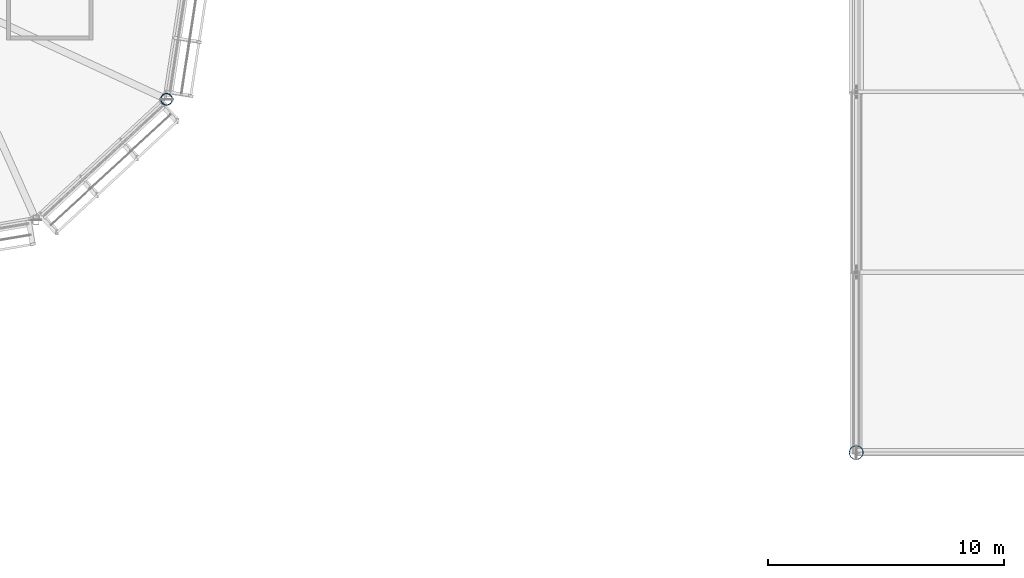
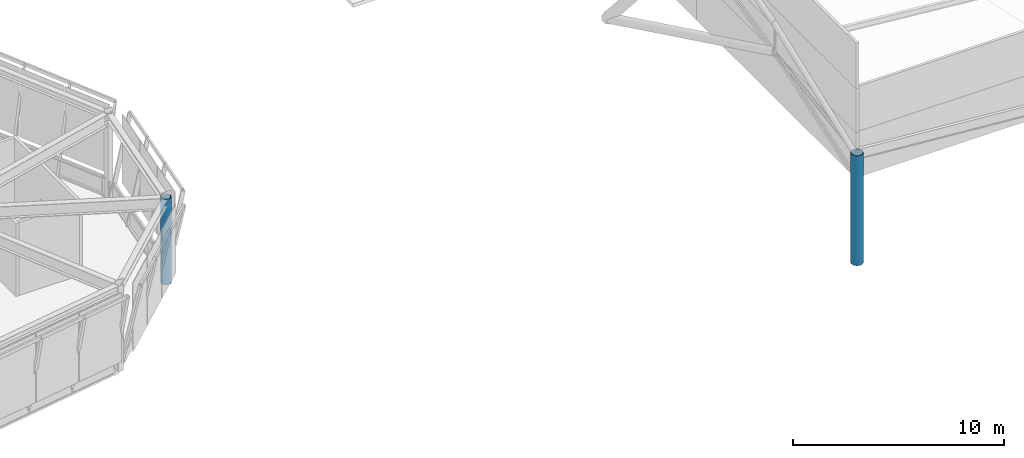
# One storey, part 5 of 113: 2 columns.
"""IFC4 building model written with IfcOpenShell, lengths in metres."""

from ifc_helpers import new_model, si_unit, direction, frame, origin, origin_2d, place, context, subcontext, project, spatial, hollow_circle, extrude, material, material_profile, profile_set, type_object, element, save


model = new_model("IFC4")

# Units and contexts
model_context = context("Model", 3, precision=1e-05, world=origin(), true_north=direction((0.0, 1.0)))
body_context = subcontext(model_context, "Body", "Model", "MODEL_VIEW")
ifc_project = project(units=[si_unit("LENGTHUNIT", "METRE"), si_unit("AREAUNIT", "SQUARE_METRE"), si_unit("VOLUMEUNIT", "CUBIC_METRE"), si_unit("PLANEANGLEUNIT", "RADIAN"), si_unit("MASSUNIT", "GRAM", prefix="KILO")], contexts=[model_context])

# Site, building, storey
site_placement = place(None, origin())
site = spatial("IfcSite", under=ifc_project, at=site_placement, CompositionType="ELEMENT")
building_placement = place(site_placement, origin())
building = spatial("IfcBuilding", under=site, at=building_placement, Name="Linyun Crest Stadium", CompositionType="ELEMENT")
storey_placement = place(building_placement, frame((0.0, 0.0, 26.39990234375)))
storey = spatial("IfcBuildingStorey", under=building, at=storey_placement, Name="L06", CompositionType="ELEMENT", Elevation=26.39990234375)

# Columns
ifc_material_1 = material(Name="Steel Q420C", Category="steel")
ifc_material_profile_1 = material_profile(ifc_material_1, hollow_circle(Radius=0.304931640625, WallThickness=0.030029296875, at=origin_2d()), Name="CHS 610x30")
ifc_profile_set_1 = profile_set([ifc_material_profile_1], Name="Steel Q420C")
column_type_1 = type_object("IfcColumnType", Name="MST01", PredefinedType="USERDEFINED", material=ifc_profile_set_1)
column_1_placement = place(storey_placement, frame((-28.0, 61.0, 0.0), z_axis=(0.0, 0.0, 1.0), x_axis=(1.0, 0.0, 0.0)))
element("IfcColumn", 1, at=column_1_placement, inside=storey, type_object=column_type_1, Name="Roof mast colonnade pier MST01 L06 34", ObjectType="ROOF MAST", PredefinedType="USERDEFINED", context=body_context, shape_type="SweptSolid", body=[
    extrude(hollow_circle(Radius=0.304931640625, WallThickness=0.030029296875, at=origin_2d()), origin(), (0.0, 0.0, 1.0), 6.35302734375),
])
ifc_material_2 = material(Name="Steel Q355C", Category="steel")
ifc_material_profile_2 = material_profile(ifc_material_2, hollow_circle(Radius=0.25390625, WallThickness=0.02490234375, at=origin_2d()), Name="CHS 508x25")
ifc_profile_set_2 = profile_set([ifc_material_profile_2], Name="Steel Q355C")
column_type_2 = type_object("IfcColumnType", Name="SC05", PredefinedType="COLUMN", material=ifc_profile_set_2)
column_2_placement = place(storey_placement, frame((-57.1650390625, 75.93994140625, 0.0), z_axis=(0.0, 0.0, 1.0), x_axis=(1.0, 0.0, 0.0)))
element("IfcColumn", 2, at=column_2_placement, inside=storey, type_object=column_type_2, Name="Pod perimeter column SC05 L06 949", PredefinedType="COLUMN", context=body_context, shape_type="SweptSolid", body=[
    extrude(hollow_circle(Radius=0.25390625, WallThickness=0.02490234375, at=origin_2d()), origin(), (0.0, 0.0, 1.0), 4.945068359375),
])

save(model, "model.ifc")
